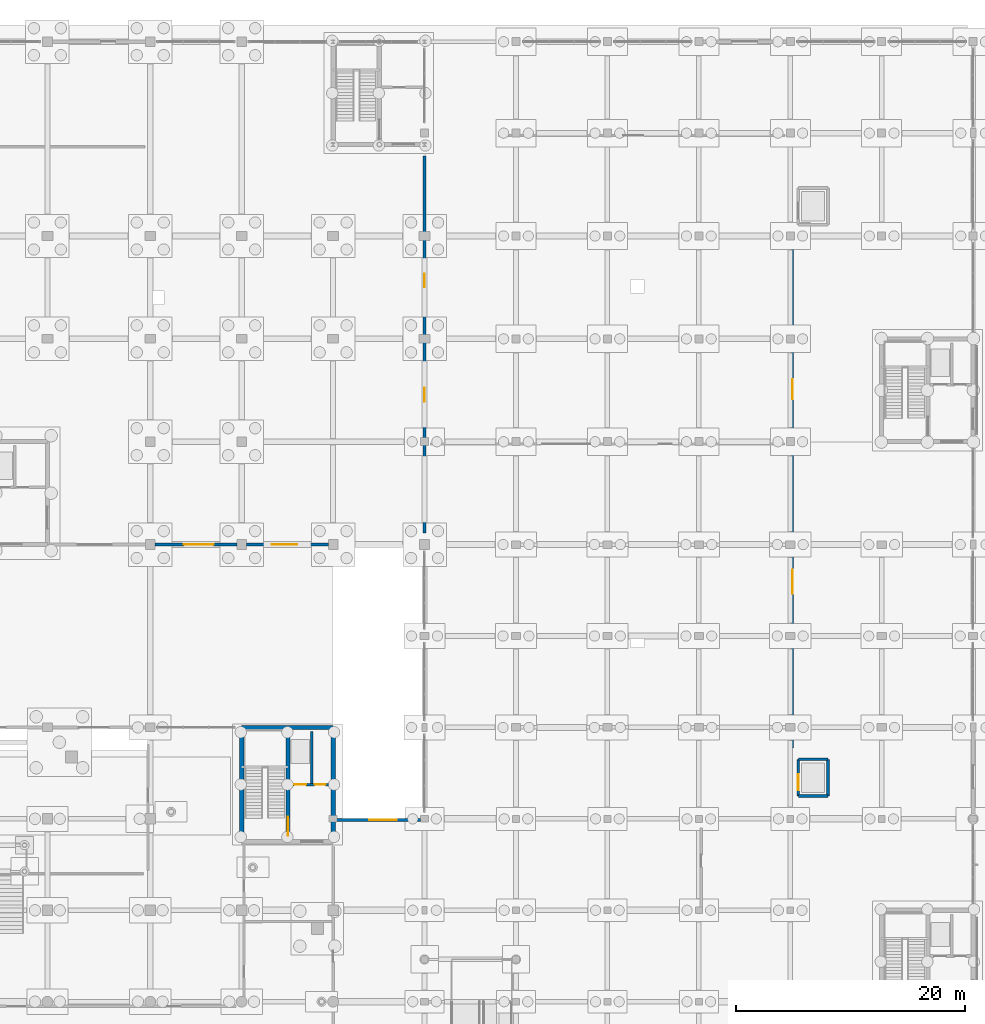
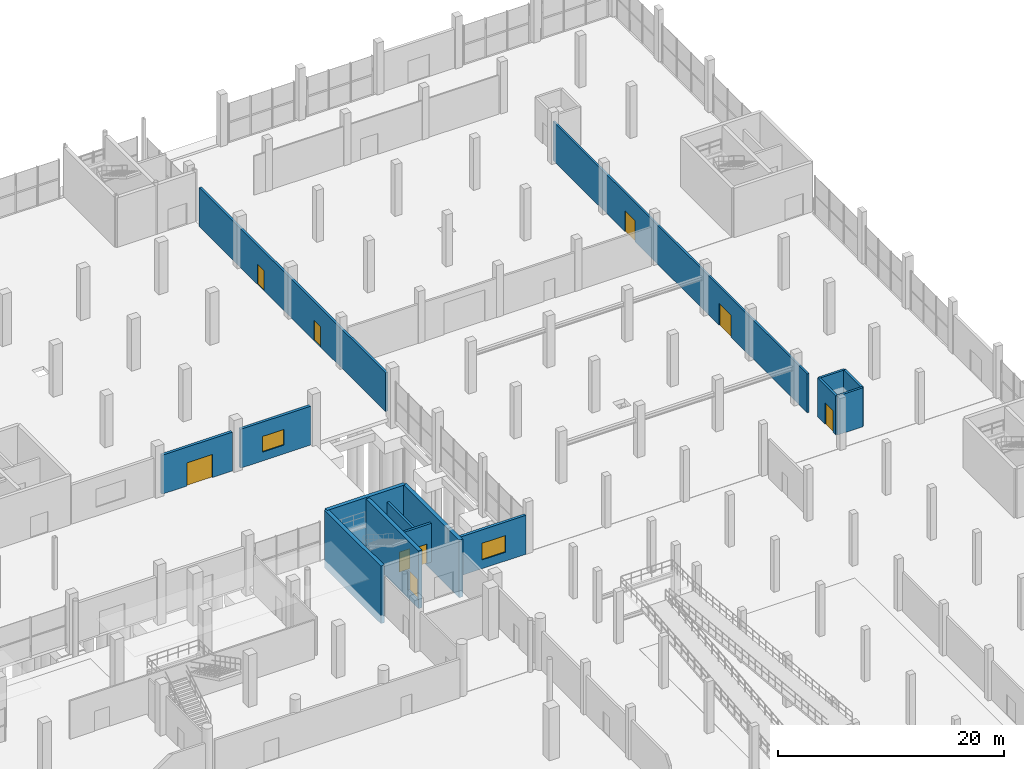
# One storey, part 80 of 98: 15 walls, 9 doors, 2 windows, 11 openings.
"""IFC4 building model written with IfcOpenShell, lengths in metres."""

from ifc_helpers import new_model, si_unit, derived_unit, direction, frame, frame_2d, origin, place, context, subcontext, project, spatial, rectangle, extrude, material, layer, layer_set, type_object, element, fill, save


model = new_model("IFC4")

# Units and contexts
model_context = context("Model", 3, precision=1e-05, world=origin(), true_north=direction((0.0, 1.0)))
body_context = subcontext(model_context, "Body", "Model", "MODEL_VIEW")
ifc_project = project(units=[si_unit("LENGTHUNIT", "METRE"), si_unit("AREAUNIT", "SQUARE_METRE"), si_unit("VOLUMEUNIT", "CUBIC_METRE"), si_unit("PLANEANGLEUNIT", "RADIAN"), si_unit("MASSUNIT", "GRAM", prefix="KILO"), si_unit("THERMODYNAMICTEMPERATUREUNIT", "KELVIN"), derived_unit("THERMALTRANSMITTANCEUNIT", [(si_unit("POWERUNIT", "WATT"), 1), (si_unit("AREAUNIT", "SQUARE_METRE"), -1), (si_unit("THERMODYNAMICTEMPERATUREUNIT", "KELVIN"), -1)])], contexts=[model_context])

# Site, building, storey
site_placement = place(None, origin())
site = spatial("IfcSite", under=ifc_project, at=site_placement, CompositionType="ELEMENT")
building_placement = place(site_placement, origin())
building = spatial("IfcBuilding", under=site, at=building_placement, Name="Haiyu Intermodal Mobility Hub", CompositionType="ELEMENT")
storey_placement = place(building_placement, origin())
storey = spatial("IfcBuildingStorey", under=building, at=storey_placement, Name="L00", CompositionType="ELEMENT", Elevation=0.0)

# Wall, opening, door
ifc_material_1 = material(Name="Anodised aluminium 6063-T6", Category="aluminium")
ifc_layer_1 = layer(ifc_material_1, 0.280029296875)
ifc_layer_set_1 = layer_set([ifc_layer_1], Name="Anodised aluminium 6063-T6")
wall_type_1 = type_object("IfcWallType", Name="WAL-WE02", PredefinedType="STANDARD", material=ifc_layer_set_1)
wall_1_placement = place(storey_placement, frame((138.405029296875, 104.0, 0.0), z_axis=(0.0, 0.0, 1.0), x_axis=(1.0, 0.0, 0.0)))
wall_1 = element("IfcWall", 1, at=wall_1_placement, inside=storey, type_object=wall_type_1, Name="WAL-V4S-L00-143", PredefinedType="STANDARD", context=body_context, shape_type="SweptSolid", body=[
    extrude(rectangle(XDim=7.18994140625, YDim=0.280029296875, at=frame_2d((3.594970703125, 0.0))), origin(), (0.0, 0.0, 1.0), 4.199951171875),
])
opening_1_placement = place(wall_1_placement, frame((2.544921875, 0.0, 0.0)))
opening_1 = element("IfcOpeningElement", 2, at=opening_1_placement, cuts=wall_1, Name="Opening DE01", PredefinedType="OPENING", context=body_context, shape_type="SweptSolid", body=[
    extrude(rectangle(XDim=2.60009765625, YDim=2.5, at=frame_2d((1.300048828125, 1.25))), frame((0.0, 0.14990234375, 0.0), z_axis=(0.0, -1.0, 0.0), x_axis=(1.0, 0.0, 0.0)), (0.0, 0.0, 1.0), 0.300048828125),
])
door_type_1 = type_object("IfcDoorType", Name="DR-DE01", OperationType="DOUBLE_DOOR_SLIDING", PredefinedType="DOOR", material=ifc_material_1)
door_1_placement = place(opening_1_placement, origin())
door_1 = element("IfcDoor", 3, at=door_1_placement, inside=storey, type_object=door_type_1, Name="WAL-V4S-L00-143-DR01", OperationType="DOUBLE_SWING_LEFT", OverallHeight=2.5, OverallWidth=2.60009765625, PredefinedType="DOOR", context=body_context, shape_type="SweptSolid", body=[
    extrude(rectangle(XDim=2.60009765625, YDim=2.5, at=frame_2d((1.300048828125, 1.25))), frame((0.0, 0.02490234375, 0.0), z_axis=(0.0, -1.0, 0.0), x_axis=(1.0, 0.0, 0.0)), (0.0, 0.0, 1.0), 0.050048828125),
])
fill(opening_1, door_1)

# Wall, opening, window
wall_2_placement = place(storey_placement, frame((146.405029296875, 104.0, 0.0), z_axis=(0.0, 0.0, 1.0), x_axis=(1.0, 0.0, 0.0)))
wall_2 = element("IfcWall", 4, at=wall_2_placement, inside=storey, type_object=wall_type_1, Name="WAL-V4S-L00-149", PredefinedType="STANDARD", context=body_context, shape_type="SweptSolid", body=[
    extrude(rectangle(XDim=7.18994140625, YDim=0.280029296875, at=frame_2d((3.594970703125, 0.0))), origin(), (0.0, 0.0, 1.0), 4.199951171875),
])
opening_2_placement = place(wall_2_placement, frame((2.2451171875, 0.0, 0.949951171875)))
opening_2 = element("IfcOpeningElement", 5, at=opening_2_placement, cuts=wall_2, Name="Opening WN17", PredefinedType="OPENING", context=body_context, shape_type="SweptSolid", body=[
    extrude(rectangle(XDim=2.199951171875, YDim=1.699951171875, at=frame_2d((1.10009765625, 0.85009765625))), frame((0.0, 0.14990234375, 0.0), z_axis=(0.0, -1.0, 0.0), x_axis=(1.0, 0.0, 0.0)), (0.0, 0.0, 1.0), 0.300048828125),
])
ifc_material_2 = material(Name="Low-e laminated insulating glass", Category="glass")
window_type_1 = type_object("IfcWindowType", Name="WIN-WN17", PartitioningType="DOUBLE_PANEL_VERTICAL", PredefinedType="WINDOW", material=ifc_material_2)
window_1_placement = place(opening_2_placement, origin())
window_1 = element("IfcWindow", 6, at=window_1_placement, inside=storey, type_object=window_type_1, Name="WAL-V4S-L00-149-WN01", OverallHeight=1.699951171875, OverallWidth=2.199951171875, PartitioningType="SINGLE_PANEL", PredefinedType="WINDOW", context=body_context, shape_type="SweptSolid", body=[
    extrude(rectangle(XDim=2.199951171875, YDim=1.699951171875, at=frame_2d((1.10009765625, 0.85009765625))), frame((0.0, 0.030029296875, 0.0), z_axis=(0.0, -1.0, 0.0), x_axis=(1.0, 0.0, 0.0)), (0.0, 0.0, 1.0), 0.06005859375),
])
fill(opening_2, window_1)

wall_3_placement = place(storey_placement, frame((161.6650390625, 79.89990234375, 0.0), z_axis=(0.0, 0.0, 1.0), x_axis=(-1.0, 0.0, 0.0)))
wall_3 = element("IfcWall", 7, at=wall_3_placement, inside=storey, type_object=wall_type_1, Name="WAL-V5NC-L00-153", PredefinedType="STANDARD", context=body_context, shape_type="SweptSolid", body=[
    extrude(rectangle(XDim=7.525146484375, YDim=0.280029296875, at=frame_2d((3.7626953125, 0.0))), origin(), (0.0, 0.0, 1.0), 4.199951171875),
])
opening_3_placement = place(wall_3_placement, frame((2.114990234375, 0.0, 0.949951171875)))
opening_3 = element("IfcOpeningElement", 8, at=opening_3_placement, cuts=wall_3, Name="Opening WN04", PredefinedType="OPENING", context=body_context, shape_type="SweptSolid", body=[
    extrude(rectangle(XDim=2.39990234375, YDim=1.800048828125, at=frame_2d((1.199951171875, 0.89990234375))), frame((0.0, 0.14990234375, 0.0), z_axis=(0.0, -1.0, 0.0), x_axis=(1.0, 0.0, 0.0)), (0.0, 0.0, 1.0), 0.300048828125),
])
window_type_2 = type_object("IfcWindowType", Name="WIN-WN04", PartitioningType="DOUBLE_PANEL_VERTICAL", PredefinedType="WINDOW", material=ifc_material_2)
window_2_placement = place(opening_3_placement, origin())
window_2 = element("IfcWindow", 9, at=window_2_placement, inside=storey, type_object=window_type_2, Name="WAL-V5NC-L00-153-WN01", OverallHeight=1.800048828125, OverallWidth=2.39990234375, PartitioningType="SINGLE_PANEL", PredefinedType="WINDOW", context=body_context, shape_type="SweptSolid", body=[
    extrude(rectangle(XDim=2.39990234375, YDim=1.800048828125, at=frame_2d((1.199951171875, 0.89990234375))), frame((0.0, 0.030029296875, 0.0), z_axis=(0.0, -1.0, 0.0), x_axis=(1.0, 0.0, 0.0)), (0.0, 0.0, 1.0), 0.06005859375),
])
fill(opening_3, window_2)

# Wall
ifc_material_3 = material(Name="Autoclaved aerated concrete block A5.0", Category="concrete")
ifc_layer_2 = layer(ifc_material_3, 0.22998046875)
ifc_layer_set_2 = layer_set([ifc_layer_2], Name="Autoclaved aerated concrete block A5.0")
wall_type_2 = type_object("IfcWallType", Name="WAL-WI01", PredefinedType="PARTITIONING", material=ifc_layer_set_2)
wall_4_placement = place(storey_placement, frame((152.1298828125, 83.0, 0.0), z_axis=(0.0, 0.0, 1.0), x_axis=(0.0, 1.0, 0.0)))
element("IfcWall", 10, at=wall_4_placement, inside=storey, type_object=wall_type_2, Name="WAL-CORE-C2-LSH-L00", PredefinedType="PARTITIONING", context=body_context, shape_type="SweptSolid", body=[
    extrude(rectangle(XDim=4.64990234375, YDim=0.22998046875, at=frame_2d((2.324951171875, 0.0))), origin(), (0.0, 0.0, 1.0), 4.199951171875),
])

# Wall, openings, doors
wall_5_placement = place(storey_placement, frame((150.2099609375, 83.0, 0.0), z_axis=(0.0, 0.0, 1.0), x_axis=(1.0, 0.0, 0.0)))
wall_5 = element("IfcWall", 11, at=wall_5_placement, inside=storey, type_object=wall_type_2, Name="WAL-CORE-C2-LFT-L00", PredefinedType="PARTITIONING", context=body_context, shape_type="SweptSolid", body=[
    extrude(rectangle(XDim=3.630126953125, YDim=0.22998046875, at=frame_2d((1.81494140625, 0.0))), origin(), (0.0, 0.0, 1.0), 4.199951171875),
])
opening_4_placement = place(wall_5_placement, frame((0.3798828125, 0.0, 0.0)))
opening_4 = element("IfcOpeningElement", 12, at=opening_4_placement, cuts=wall_5, Name="Opening LD02", PredefinedType="OPENING", context=body_context, shape_type="SweptSolid", body=[
    extrude(rectangle(XDim=1.050048828125, YDim=2.14990234375, at=frame_2d((0.52490234375, 1.074951171875))), frame((0.0, 0.125, 0.0), z_axis=(0.0, -1.0, 0.0), x_axis=(1.0, 0.0, 0.0)), (0.0, 0.0, 1.0), 0.25),
])
opening_5_placement = place(wall_5_placement, frame((2.179931640625, 0.0, 0.0)))
opening_5 = element("IfcOpeningElement", 13, at=opening_5_placement, cuts=wall_5, Name="Opening DI07", PredefinedType="OPENING", context=body_context, shape_type="SweptSolid", body=[
    extrude(rectangle(XDim=0.949951171875, YDim=2.10009765625, at=frame_2d((0.47509765625, 1.050048828125))), frame((0.0, 0.125, 0.0), z_axis=(0.0, -1.0, 0.0), x_axis=(1.0, 0.0, 0.0)), (0.0, 0.0, 1.0), 0.25),
])
ifc_material_4 = material(Name="Steel Q355C", Category="steel")
door_type_2 = type_object("IfcDoorType", Name="DR-DI07", OperationType="NOTDEFINED", PredefinedType="DOOR", material=ifc_material_4)
door_2_placement = place(opening_5_placement, origin())
door_2 = element("IfcDoor", 14, at=door_2_placement, inside=storey, type_object=door_type_2, Name="Core C2 Accessible WC Door L00", OperationType="SINGLE_SWING_RIGHT", OverallHeight=2.10009765625, OverallWidth=0.949951171875, PredefinedType="DOOR", context=body_context, shape_type="SweptSolid", body=[
    extrude(rectangle(XDim=0.949951171875, YDim=2.10009765625, at=frame_2d((0.47509765625, 1.050048828125))), frame((0.0, 0.02490234375, 0.0), z_axis=(0.0, -1.0, 0.0), x_axis=(1.0, 0.0, 0.0)), (0.0, 0.0, 1.0), 0.050048828125),
])
fill(opening_5, door_2)
door_type_3 = type_object("IfcDoorType", Name="DR-LD02", OperationType="DOUBLE_DOOR_SLIDING", PredefinedType="DOOR", material=ifc_material_4)
door_3_placement = place(opening_4_placement, origin())
door_3 = element("IfcDoor", 15, at=door_3_placement, inside=storey, type_object=door_type_3, Name="Lift PL-01 Sliding Landing Door L00", OperationType="SLIDING_TO_LEFT", OverallHeight=2.14990234375, OverallWidth=1.050048828125, PredefinedType="DOOR", context=body_context, shape_type="SweptSolid", body=[
    extrude(rectangle(XDim=1.050048828125, YDim=2.14990234375, at=frame_2d((0.52490234375, 1.074951171875))), frame((0.0, 0.02490234375, 0.0), z_axis=(0.0, -1.0, 0.0), x_axis=(1.0, 0.0, 0.0)), (0.0, 0.0, 1.0), 0.050048828125),
])
fill(opening_4, door_3)

# Wall, opening, door
wall_6_placement = place(storey_placement, frame((194.699951171875, 82.0, 0.0), z_axis=(0.0, 0.0, 1.0), x_axis=(0.0, 1.0, 0.0)))
wall_6 = element("IfcWall", 16, at=wall_6_placement, inside=storey, type_object=wall_type_2, Name="WAL-GL-01-W-L00", PredefinedType="PARTITIONING", context=body_context, shape_type="SweptSolid", body=[
    extrude(rectangle(XDim=3.199951171875, YDim=0.22998046875, at=frame_2d((1.60009765625, 0.0))), origin(), (0.0, 0.0, 1.0), 4.199951171875),
])
opening_6_placement = place(wall_6_placement, frame((0.5, 0.0, 0.0)))
opening_6 = element("IfcOpeningElement", 17, at=opening_6_placement, cuts=wall_6, Name="Opening LD03", PredefinedType="OPENING", context=body_context, shape_type="SweptSolid", body=[
    extrude(rectangle(XDim=1.39990234375, YDim=2.300048828125, at=frame_2d((0.699951171875, 1.14990234375))), frame((0.0, 0.125, 0.0), z_axis=(0.0, -1.0, 0.0), x_axis=(1.0, 0.0, 0.0)), (0.0, 0.0, 1.0), 0.25),
])
door_type_4 = type_object("IfcDoorType", Name="DR-LD03", OperationType="DOUBLE_DOOR_SLIDING", PredefinedType="DOOR", material=ifc_material_4)
door_4_placement = place(opening_6_placement, origin())
door_4 = element("IfcDoor", 18, at=door_4_placement, inside=storey, type_object=door_type_4, Name="Goods Lift GL-01 Sliding Door L00", OperationType="SLIDING_TO_RIGHT", OverallHeight=2.300048828125, OverallWidth=1.39990234375, PredefinedType="DOOR", context=body_context, shape_type="SweptSolid", body=[
    extrude(rectangle(XDim=1.39990234375, YDim=2.300048828125, at=frame_2d((0.699951171875, 1.14990234375))), frame((0.0, 0.02490234375, 0.0), z_axis=(0.0, -1.0, 0.0), x_axis=(1.0, 0.0, 0.0)), (0.0, 0.0, 1.0), 0.050048828125),
])
fill(opening_6, door_4)

# Walls
wall_7_placement = place(storey_placement, frame((194.699951171875, 85.199951171875, 0.0), z_axis=(0.0, 0.0, 1.0), x_axis=(1.0, 0.0, 0.0)))
element("IfcWall", 19, at=wall_7_placement, inside=storey, type_object=wall_type_2, Name="WAL-GL-01-N-L00", PredefinedType="PARTITIONING", context=body_context, shape_type="SweptSolid", body=[
    extrude(rectangle(XDim=2.60009765625, YDim=0.22998046875, at=frame_2d((1.300048828125, 0.0))), origin(), (0.0, 0.0, 1.0), 4.199951171875),
])
wall_8_placement = place(storey_placement, frame((197.300048828125, 85.199951171875, 0.0), z_axis=(0.0, 0.0, 1.0), x_axis=(0.0, -1.0, 0.0)))
element("IfcWall", 20, at=wall_8_placement, inside=storey, type_object=wall_type_2, Name="WAL-GL-01-E-L00", PredefinedType="PARTITIONING", context=body_context, shape_type="SweptSolid", body=[
    extrude(rectangle(XDim=3.199951171875, YDim=0.22998046875, at=frame_2d((1.60009765625, 0.0))), origin(), (0.0, 0.0, 1.0), 4.199951171875),
])
wall_9_placement = place(storey_placement, frame((197.300048828125, 82.0, 0.0), z_axis=(0.0, 0.0, 1.0), x_axis=(-1.0, 0.0, 0.0)))
element("IfcWall", 21, at=wall_9_placement, inside=storey, type_object=wall_type_2, Name="WAL-GL-01-S-L00", PredefinedType="PARTITIONING", context=body_context, shape_type="SweptSolid", body=[
    extrude(rectangle(XDim=2.60009765625, YDim=0.22998046875, at=frame_2d((1.300048828125, 0.0))), origin(), (0.0, 0.0, 1.0), 4.199951171875),
])

# Wall, openings, doors
wall_10_placement = place(storey_placement, frame((162.0, 105.0, 0.0), z_axis=(0.0, 0.0, 1.0), x_axis=(0.0, 1.0, 0.0)))
wall_10 = element("IfcWall", 22, at=wall_10_placement, inside=storey, type_object=wall_type_2, Name="WAL-INT-0013", PredefinedType="PARTITIONING", context=body_context, shape_type="SweptSolid", body=[
    extrude(rectangle(XDim=33.0, YDim=0.22998046875, at=frame_2d((16.5, 0.0))), origin(), (0.0, 0.0, 1.0), 4.199951171875),
])
opening_7_placement = place(wall_10_placement, frame((11.5, 0.0, 0.0)))
opening_7 = element("IfcOpeningElement", 23, at=opening_7_placement, cuts=wall_10, Name="Opening DI03", PredefinedType="OPENING", context=body_context, shape_type="SweptSolid", body=[
    extrude(rectangle(XDim=1.199951171875, YDim=2.199951171875, at=frame_2d((0.60009765625, 1.10009765625))), frame((0.0, 0.125, 0.0), z_axis=(0.0, -1.0, 0.0), x_axis=(1.0, 0.0, 0.0)), (0.0, 0.0, 1.0), 0.25),
])
opening_8_placement = place(wall_10_placement, frame((21.5, 0.0, 0.0)))
opening_8 = element("IfcOpeningElement", 24, at=opening_8_placement, cuts=wall_10, Name="Opening DI03", PredefinedType="OPENING", context=body_context, shape_type="SweptSolid", body=[
    extrude(rectangle(XDim=1.199951171875, YDim=2.199951171875, at=frame_2d((0.60009765625, 1.10009765625))), frame((0.0, 0.125, 0.0), z_axis=(0.0, -1.0, 0.0), x_axis=(1.0, 0.0, 0.0)), (0.0, 0.0, 1.0), 0.25),
])
door_type_5 = type_object("IfcDoorType", Name="DR-DI03", OperationType="NOTDEFINED", PredefinedType="DOOR", material=ifc_material_4)
door_5_placement = place(opening_7_placement, origin())
door_5 = element("IfcDoor", 25, at=door_5_placement, inside=storey, type_object=door_type_5, Name="Parking-Service Fire Door L00-A", OperationType="DOUBLE_SWING_LEFT", OverallHeight=2.199951171875, OverallWidth=1.199951171875, PredefinedType="DOOR", context=body_context, shape_type="SweptSolid", body=[
    extrude(rectangle(XDim=1.199951171875, YDim=2.199951171875, at=frame_2d((0.60009765625, 1.10009765625))), frame((0.0, 0.02490234375, 0.0), z_axis=(0.0, -1.0, 0.0), x_axis=(1.0, 0.0, 0.0)), (0.0, 0.0, 1.0), 0.050048828125),
])
fill(opening_7, door_5)
door_6_placement = place(opening_8_placement, origin())
door_6 = element("IfcDoor", 26, at=door_6_placement, inside=storey, type_object=door_type_5, Name="Parking-Service Fire Door L00-B", OperationType="DOUBLE_SWING_RIGHT", OverallHeight=2.199951171875, OverallWidth=1.199951171875, PredefinedType="DOOR", context=body_context, shape_type="SweptSolid", body=[
    extrude(rectangle(XDim=1.199951171875, YDim=2.199951171875, at=frame_2d((0.60009765625, 1.10009765625))), frame((0.0, 0.02490234375, 0.0), z_axis=(0.0, -1.0, 0.0), x_axis=(1.0, 0.0, 0.0)), (0.0, 0.0, 1.0), 0.050048828125),
])
fill(opening_8, door_6)

ifc_layer_3 = layer(ifc_material_3, 0.199951171875)
ifc_layer_set_3 = layer_set([ifc_layer_3], Name="Autoclaved aerated concrete block A5.0")
wall_type_3 = type_object("IfcWallType", Name="WAL-WI02", PredefinedType="PARTITIONING", material=ifc_layer_set_3)
wall_11_placement = place(storey_placement, frame((194.199951171875, 86.199951171875, 0.0), z_axis=(0.0, 0.0, 1.0), x_axis=(0.0, 1.0, 0.0)))
wall_11 = element("IfcWall", 27, at=wall_11_placement, inside=storey, type_object=wall_type_3, Name="WAL-INT-0022", PredefinedType="PARTITIONING", context=body_context, shape_type="SweptSolid", body=[
    extrude(rectangle(XDim=45.0, YDim=0.199951171875, at=frame_2d((22.5, 0.0))), origin(), (0.0, 0.0, 1.0), 4.199951171875),
])
opening_9_placement = place(wall_11_placement, frame((13.5, 0.0, 0.0)))
opening_9 = element("IfcOpeningElement", 28, at=opening_9_placement, cuts=wall_11, Name="Opening DI08", PredefinedType="OPENING", context=body_context, shape_type="SweptSolid", body=[
    extrude(rectangle(XDim=2.10009765625, YDim=2.35009765625, at=frame_2d((1.050048828125, 1.175048828125))), frame((0.0, 0.10986328125, 0.0), z_axis=(0.0, -1.0, 0.0), x_axis=(1.0, 0.0, 0.0)), (0.0, 0.0, 1.0), 0.219970703125),
])
opening_10_placement = place(wall_11_placement, frame((30.5, 0.0, 0.0)))
opening_10 = element("IfcOpeningElement", 29, at=opening_10_placement, cuts=wall_11, Name="Opening DI09", PredefinedType="OPENING", context=body_context, shape_type="SweptSolid", body=[
    extrude(rectangle(XDim=1.75, YDim=2.25, at=frame_2d((0.875, 1.125))), frame((0.0, 0.10986328125, 0.0), z_axis=(0.0, -1.0, 0.0), x_axis=(1.0, 0.0, 0.0)), (0.0, 0.0, 1.0), 0.219970703125),
])
door_type_6 = type_object("IfcDoorType", Name="DR-DI08", OperationType="DOUBLE_DOOR_SINGLE_SWING", PredefinedType="DOOR", material=ifc_material_1)
door_7_placement = place(opening_9_placement, origin())
door_7 = element("IfcDoor", 30, at=door_7_placement, inside=storey, type_object=door_type_6, Name="Parts Store Double Door", OperationType="DOUBLE_SWING_LEFT", OverallHeight=2.35009765625, OverallWidth=2.10009765625, PredefinedType="DOOR", context=body_context, shape_type="SweptSolid", body=[
    extrude(rectangle(XDim=2.10009765625, YDim=2.35009765625, at=frame_2d((1.050048828125, 1.175048828125))), frame((0.0, 0.02490234375, 0.0), z_axis=(0.0, -1.0, 0.0), x_axis=(1.0, 0.0, 0.0)), (0.0, 0.0, 1.0), 0.050048828125),
])
fill(opening_9, door_7)
door_type_7 = type_object("IfcDoorType", Name="DR-DI09", OperationType="DOUBLE_DOOR_SINGLE_SWING", PredefinedType="DOOR", material=ifc_material_1)
door_8_placement = place(opening_10_placement, origin())
door_8 = element("IfcDoor", 31, at=door_8_placement, inside=storey, type_object=door_type_7, Name="HV Substation Plant Door", OperationType="DOUBLE_SWING_RIGHT", OverallHeight=2.25, OverallWidth=1.75, PredefinedType="DOOR", context=body_context, shape_type="SweptSolid", body=[
    extrude(rectangle(XDim=1.75, YDim=2.25, at=frame_2d((0.875, 1.125))), frame((0.0, 0.02490234375, 0.0), z_axis=(0.0, -1.0, 0.0), x_axis=(1.0, 0.0, 0.0)), (0.0, 0.0, 1.0), 0.050048828125),
])
fill(opening_10, door_8)

# Walls
ifc_material_5 = material(Name="Concrete C40", Category="concrete")
ifc_layer_4 = layer(ifc_material_5, 0.3798828125)
ifc_layer_set_4 = layer_set([ifc_layer_4], Name="Concrete C40")
wall_type_4 = type_object("IfcWallType", Name="WAL-WS03", PredefinedType="SHEAR", material=ifc_layer_set_4)
wall_12_placement = place(storey_placement, frame((154.0, 78.0, -0.89990234375), z_axis=(0.0, 0.0, 1.0), x_axis=(0.0, 1.0, 0.0)))
element("IfcWall", 32, at=wall_12_placement, inside=storey, type_object=wall_type_4, Name="WAL-CORE-C2-E-L00", PredefinedType="SHEAR", context=body_context, shape_type="SweptSolid", body=[
    extrude(rectangle(XDim=10.0, YDim=0.3798828125, at=frame_2d((5.0, 0.0))), origin(), (0.0, 0.0, 1.0), 6.219970703125),
])
wall_13_placement = place(storey_placement, frame((154.0, 88.0, -0.89990234375), z_axis=(0.0, 0.0, 1.0), x_axis=(-1.0, 0.0, 0.0)))
element("IfcWall", 33, at=wall_13_placement, inside=storey, type_object=wall_type_4, Name="WAL-CORE-C2-N-L00", PredefinedType="SHEAR", context=body_context, shape_type="SweptSolid", body=[
    extrude(rectangle(XDim=8.0, YDim=0.3798828125, at=frame_2d((4.0, 0.0))), origin(), (0.0, 0.0, 1.0), 6.219970703125),
])
wall_14_placement = place(storey_placement, frame((146.0, 88.0, -0.89990234375), z_axis=(0.0, 0.0, 1.0), x_axis=(0.0, -1.0, 0.0)))
element("IfcWall", 34, at=wall_14_placement, inside=storey, type_object=wall_type_4, Name="WAL-CORE-C2-W-L00", PredefinedType="SHEAR", context=body_context, shape_type="SweptSolid", body=[
    extrude(rectangle(XDim=10.0, YDim=0.3798828125, at=frame_2d((5.0, 0.0))), origin(), (0.0, 0.0, 1.0), 6.219970703125),
])

# Wall, opening, door
wall_15_placement = place(storey_placement, frame((150.050048828125, 78.35009765625, -0.89990234375), z_axis=(0.0, 0.0, 1.0), x_axis=(0.0, 1.0, 0.0)))
wall_15 = element("IfcWall", 35, at=wall_15_placement, inside=storey, type_object=wall_type_4, Name="WAL-CORE-C2-MID-L00", PredefinedType="SHEAR", context=body_context, shape_type="SweptSolid", body=[
    extrude(rectangle(XDim=9.2998046875, YDim=0.3798828125, at=frame_2d((4.64990234375, 0.0))), origin(), (0.0, 0.0, 1.0), 6.219970703125),
])
opening_11_placement = place(wall_15_placement, frame((0.179931640625, 0.0, 0.89990234375)))
opening_11 = element("IfcOpeningElement", 36, at=opening_11_placement, cuts=wall_15, Name="Opening DI02", PredefinedType="OPENING", context=body_context, shape_type="SweptSolid", body=[
    extrude(rectangle(XDim=1.64990234375, YDim=2.199951171875, at=frame_2d((0.824951171875, 1.10009765625))), frame((0.0, 0.199951171875, 0.0), z_axis=(0.0, -1.0, 0.0), x_axis=(1.0, 0.0, 0.0)), (0.0, 0.0, 1.0), 0.39990234375),
])
door_type_8 = type_object("IfcDoorType", Name="DR-DI02", OperationType="DOUBLE_DOOR_SINGLE_SWING", PredefinedType="DOOR", material=ifc_material_4)
door_9_placement = place(opening_11_placement, origin())
door_9 = element("IfcDoor", 37, at=door_9_placement, inside=storey, type_object=door_type_8, Name="Stair ST01 Fire Door L00", OperationType="SINGLE_SWING_RIGHT", OverallHeight=2.199951171875, OverallWidth=1.64990234375, PredefinedType="DOOR", context=body_context, shape_type="SweptSolid", body=[
    extrude(rectangle(XDim=1.64990234375, YDim=2.199951171875, at=frame_2d((0.824951171875, 1.10009765625))), frame((0.0, 0.02490234375, 0.0), z_axis=(0.0, -1.0, 0.0), x_axis=(1.0, 0.0, 0.0)), (0.0, 0.0, 1.0), 0.050048828125),
])
fill(opening_11, door_9)

save(model, "model.ifc")
